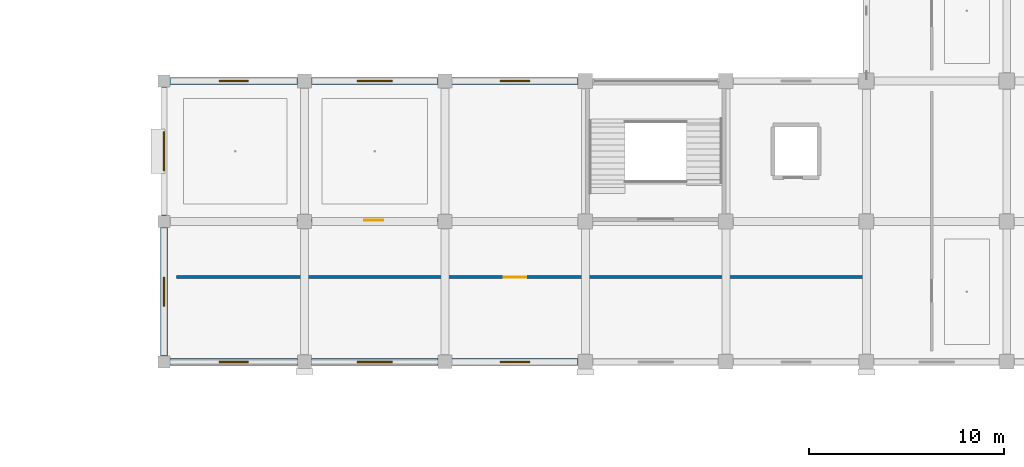
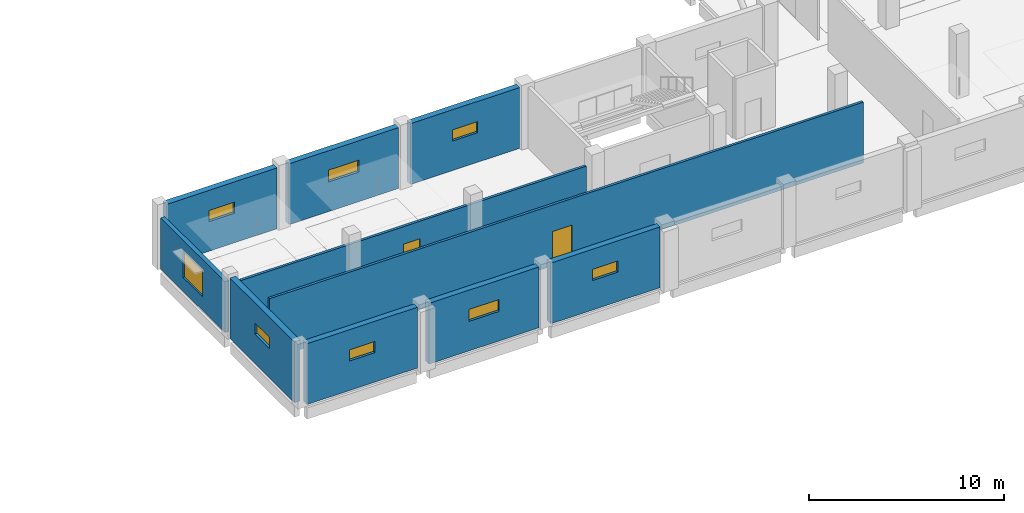
# One storey, part 79 of 107: 10 walls, 8 windows, 2 doors, 10 openings.
"""IFC4 building model written with IfcOpenShell, lengths in metres."""

import ifcopenshell
import ifcopenshell.guid

model = None  # the IFC model being written
_history = None  # IfcOwnerHistory: only IFC2X3 demands one
_inside = {}  # id of a spatial element -> (the spatial element, [elements in it])
_under = {}  # id of a project, library or spatial element -> (it, [spatial elements below it])
_declared = {}  # id of a project -> (the project, [libraries it declares])
_typed = {}  # id of a type object -> (the type object, [elements of that type])
_made_of = {}  # id of a material, layer set ... -> (it, [elements and type objects made of it])


def new_model(schema):
    """Start an empty IFC model of exactly this schema.

    Asked for "IFC4X3", IfcOpenShell would pick the latest addendum, in which some entities
    have other attributes; the version numbers below select the first issue.
    IFC2X3 requires an IfcOwnerHistory on every rooted entity: one is made here for all.
    """
    global model, _history
    if schema == "IFC4X3":
        model = ifcopenshell.file(schema_version=(4, 3, 0, 0))
    else:
        model = ifcopenshell.file(schema=schema)
    _inside.clear()
    _under.clear()
    _declared.clear()
    _typed.clear()
    _made_of.clear()
    _history = None
    if model.schema == "IFC2X3":
        org = make("IfcOrganization", Name="unknown")
        user = make(
            "IfcPersonAndOrganization",
            ThePerson=make("IfcPerson", FamilyName="unknown"),
            TheOrganization=org,
        )
        app = make(
            "IfcApplication",
            ApplicationDeveloper=org,
            Version="unknown",
            ApplicationFullName="unknown",
            ApplicationIdentifier="unknown",
        )
        _history = make(
            "IfcOwnerHistory",
            OwningUser=user,
            OwningApplication=app,
            ChangeAction="ADDED",
            CreationDate=0,
        )
    return model


def make(cls, **values):
    """One entity of the class cls with the attributes given. An attribute that is None is left unset."""
    return model.create_entity(
        cls, **{name: value for name, value in values.items() if value is not None}
    )


def rooted(cls, **values):
    """An entity with a GlobalId (a new one), such as an element, a storey or a relation."""
    return make(cls, GlobalId=ifcopenshell.guid.new(), OwnerHistory=_history, **values)


def si_unit(unit_type, name, prefix=None):
    """IfcSIUnit, for example si_unit("LENGTHUNIT", "METRE", prefix="MILLI")."""
    return make("IfcSIUnit", UnitType=unit_type, Prefix=prefix, Name=name)


def assignment(units):
    """IfcUnitAssignment: the units of a project."""
    return None if units is None else make("IfcUnitAssignment", Units=units)


def point(xyz):
    """IfcCartesianPoint."""
    return None if xyz is None else make("IfcCartesianPoint", Coordinates=xyz)


def direction(xyz):
    """IfcDirection."""
    return None if xyz is None else make("IfcDirection", DirectionRatios=xyz)


def frame(location, z_axis=None, x_axis=None):
    """IfcAxis2Placement3D, a coordinate frame: its origin and axes. An axis left out is left unset."""
    return make(
        "IfcAxis2Placement3D",
        Location=point(location),
        Axis=direction(z_axis),
        RefDirection=direction(x_axis),
    )


def frame_2d(location, x_axis=None):
    """IfcAxis2Placement2D, a coordinate frame in the plane: its origin and x axis."""
    return make(
        "IfcAxis2Placement2D", Location=point(location), RefDirection=direction(x_axis)
    )


def origin():
    """The frame at (0, 0, 0) with its axes left unset."""
    return frame((0.0, 0.0, 0.0))


def place(relative_to, where):
    """IfcLocalPlacement: puts the frame where relative to a parent placement (None: the world)."""
    return make(
        "IfcLocalPlacement", PlacementRelTo=relative_to, RelativePlacement=where
    )


def context(
    kind, dimensions, precision=None, world=None, true_north=None, identifier=None
):
    """IfcGeometricRepresentationContext, for example the 3D "Model" context."""
    return make(
        "IfcGeometricRepresentationContext",
        ContextIdentifier=identifier,
        ContextType=kind,
        CoordinateSpaceDimension=dimensions,
        Precision=precision,
        WorldCoordinateSystem=world,
        TrueNorth=true_north,
    )


def subcontext(parent, identifier, kind, view, scale=None):
    """IfcGeometricRepresentationSubContext, for example "Body" below "Model"."""
    return make(
        "IfcGeometricRepresentationSubContext",
        ContextIdentifier=identifier,
        ContextType=kind,
        ParentContext=parent,
        TargetScale=scale,
        TargetView=view,
    )


def project(units=None, contexts=None):
    """IfcProject with its units and contexts."""
    return rooted(
        "IfcProject",
        Name="project",
        RepresentationContexts=contexts,
        UnitsInContext=assignment(units),
    )


def spatial(cls, under=None, at=None, **own):
    """A site, building, storey or space (cls), placed at a placement, below another one or the project."""
    s = rooted(cls, ObjectPlacement=at, **own)
    if under is not None:
        _under.setdefault(under.id(), (under, []))[1].append(s)
    return s


def profile(cls, at=None, kind="AREA", **sizes):
    """A parametric profile (cls). Its sizes go by their IFC names, for example OverallWidth=200.0."""
    return make(cls, ProfileType=kind, Position=at, **sizes)


def rectangle(**sizes):
    """IfcRectangleProfileDef."""
    return profile("IfcRectangleProfileDef", **sizes)


def extrude(swept, where, along, depth):
    """IfcExtrudedAreaSolid: the profile swept, set in the frame where, extruded along a direction by depth."""
    return make(
        "IfcExtrudedAreaSolid",
        SweptArea=swept,
        Position=where,
        ExtrudedDirection=direction(along),
        Depth=depth,
    )


def shape(context_of_items, identifier, shape_type, items):
    """IfcShapeRepresentation: the items that make up one representation, for example the "Body"."""
    return make(
        "IfcShapeRepresentation",
        ContextOfItems=context_of_items,
        RepresentationIdentifier=identifier,
        RepresentationType=shape_type,
        Items=items,
    )


def material(Name=None, Category=None):
    """IfcMaterial."""
    return make("IfcMaterial", Name=Name, Category=Category)


def layer(
    of_material, thickness, ventilated=None, Name=None, Category=None, Priority=None
):
    """IfcMaterialLayer: one layer of a wall or slab, of a material (None: an air gap)."""
    return make(
        "IfcMaterialLayer",
        Material=of_material,
        LayerThickness=thickness,
        IsVentilated=ventilated,
        Name=Name,
        Category=Category,
        Priority=Priority,
    )


def layer_set(layers, Name=None):
    """IfcMaterialLayerSet."""
    return make("IfcMaterialLayerSet", MaterialLayers=layers, LayerSetName=Name)


def made_of(thing, what):
    """Note that an element or type object is made of a material, layer set ...; save() writes the relation."""
    if what is not None:
        _made_of.setdefault(what.id(), (what, []))[1].append(thing)
    return thing


def type_object(cls, material=None, **own):
    """A type object (cls), such as IfcWallType, which elements share."""
    return made_of(rooted(cls, **own), material)


def element(
    cls,
    number,
    at=None,
    inside=None,
    cuts=None,
    type_object=None,
    material=None,
    context=None,
    identifier="Body",
    shape_type=None,
    held_by="IfcProductDefinitionShape",
    body=None,
    shapes=None,
    **own,
):
    """One element of the class cls, such as IfcWall. Its Tag is "e" and its number.

    at: its placement. inside: the storey or other place that contains it. cuts: it is an
    opening in that element (IfcRelVoidsElement). A single representation is given by context,
    identifier, shape_type and body (its items); several are given by shapes. held_by: the class
    of the entity that holds the representations. save() writes the other relations.
    """
    e = rooted(cls, Tag="e%d" % number, ObjectPlacement=at, **own)
    if body is not None:
        shapes = [shape(context, identifier, shape_type, body)]
    if shapes is not None:
        e.Representation = make(held_by, Representations=shapes)
    if inside is not None:
        _inside.setdefault(inside.id(), (inside, []))[1].append(e)
    if cuts is not None:
        rooted(
            "IfcRelVoidsElement", RelatingBuildingElement=cuts, RelatedOpeningElement=e
        )
    if type_object is not None:
        _typed.setdefault(type_object.id(), (type_object, []))[1].append(e)
    return made_of(e, material)


def fill(opening, filler):
    """IfcRelFillsElement: the door or window that sits in an opening."""
    return rooted(
        "IfcRelFillsElement",
        RelatingOpeningElement=opening,
        RelatedBuildingElement=filler,
    )


def aggregate(whole, parts):
    """IfcRelAggregates: a whole, such as a stair, and the parts it consists of."""
    return rooted("IfcRelAggregates", RelatingObject=whole, RelatedObjects=parts)


def save(model, path):
    """Write the relations noted so far, then the file.

    IfcRelAggregates (storeys below a building ...), IfcRelContainedInSpatialStructure (elements
    in a storey), IfcRelDefinesByType, IfcRelAssociatesMaterial and IfcRelDeclares: one each for
    every whole, place, type object, material and project.
    """
    for whole, parts in _under.values():
        aggregate(whole, parts)
    for where, things in _inside.values():
        rooted(
            "IfcRelContainedInSpatialStructure",
            RelatedElements=things,
            RelatingStructure=where,
        )
    for kind, things in _typed.values():
        rooted("IfcRelDefinesByType", RelatedObjects=things, RelatingType=kind)
    for what, things in _made_of.values():
        rooted("IfcRelAssociatesMaterial", RelatedObjects=things, RelatingMaterial=what)
    for by, libraries in _declared.values():
        rooted("IfcRelDeclares", RelatingContext=by, RelatedDefinitions=libraries)
    model.write(path)


model = new_model("IFC4")

# Units and contexts
model_context = context("Model", 3, precision=1e-05, world=origin(), true_north=direction((0.0, 1.0)))
body_context = subcontext(model_context, "Body", "Model", "MODEL_VIEW")
ifc_project = project(units=[si_unit("LENGTHUNIT", "METRE"), si_unit("AREAUNIT", "SQUARE_METRE"), si_unit("VOLUMEUNIT", "CUBIC_METRE"), si_unit("PLANEANGLEUNIT", "RADIAN"), si_unit("MASSUNIT", "GRAM", prefix="KILO")], contexts=[model_context])

# Site, building, storey
site_placement = place(None, origin())
site = spatial("IfcSite", under=ifc_project, at=site_placement, CompositionType="ELEMENT")
building_placement = place(site_placement, origin())
building = spatial("IfcBuilding", under=site, at=building_placement, Name="Kangsadwip Square Police Headquarters", CompositionType="ELEMENT")
storey_placement = place(building_placement, frame((0.0, 0.0, 5.39990234375)))
storey = spatial("IfcBuildingStorey", under=building, at=storey_placement, Name="L01", CompositionType="ELEMENT", Elevation=5.39990234375)

# Wall, opening, door
ifc_material_1 = material(Name="Autoclaved aerated concrete blockwork masonry", Category="masonry")
ifc_layer_1 = layer(ifc_material_1, 0.14990234375)
ifc_layer_set_1 = layer_set([ifc_layer_1], Name="Autoclaved aerated concrete blockwork masonry")
wall_type_1 = type_object("IfcWallType", Name="BlockPartition150", PredefinedType="PARTITIONING", material=ifc_layer_set_1)
wall_1_placement = place(storey_placement, frame((108.64990234375, 25.949951171875, 0.0), z_axis=(0.0, 0.0, 1.0), x_axis=(1.0, 0.0, 0.0)))
wall_1 = element("IfcWall", 1, at=wall_1_placement, inside=storey, type_object=wall_type_1, Name="Interior Wall WI-L01-0747", PredefinedType="PARTITIONING", context=body_context, shape_type="SweptSolid", body=[
    extrude(rectangle(XDim=35.2001953125, YDim=0.14990234375, at=frame_2d((17.60009765625, 0.0))), origin(), (0.0, 0.0, 1.0), 3.81005859375),
])
opening_1_placement = place(wall_1_placement, frame((16.77490234375, 0.0, 0.0)))
opening_1 = element("IfcOpeningElement", 2, at=opening_1_placement, cuts=wall_1, Name="Opening FD-11", PredefinedType="OPENING", context=body_context, shape_type="SweptSolid", body=[
    extrude(rectangle(XDim=1.14990234375, YDim=2.14990234375, at=frame_2d((0.574951171875, 1.074951171875))), frame((0.0, 0.0849609375, 0.0), z_axis=(0.0, -1.0, 0.0), x_axis=(1.0, 0.0, 0.0)), (0.0, 0.0, 1.0), 0.169921875),
])
ifc_material_2 = material(Name="Insulated galvanized steel fire-rated door assembly", Category="steel")
door_type_1 = type_object("IfcDoorType", Name="CustodyCellDoor1150x2150", OperationType="NOTDEFINED", PredefinedType="DOOR", material=ifc_material_2)
door_1_placement = place(opening_1_placement, origin())
door_1 = element("IfcDoor", 3, at=door_1_placement, inside=storey, type_object=door_type_1, Name="Interior Door ID-L01-0175", OperationType="SINGLE_SWING_LEFT", OverallHeight=2.14990234375, OverallWidth=1.14990234375, PredefinedType="DOOR", context=body_context, shape_type="SweptSolid", body=[
    extrude(rectangle(XDim=1.14990234375, YDim=2.14990234375, at=frame_2d((0.574951171875, 1.074951171875))), frame((0.0, 0.02490234375, 0.0), z_axis=(0.0, -1.0, 0.0), x_axis=(1.0, 0.0, 0.0)), (0.0, 0.0, 1.0), 0.050048828125),
])
fill(opening_1, door_1)

wall_2_placement = place(storey_placement, frame((108.64990234375, 28.85009765625, 0.0), z_axis=(0.0, 0.0, 1.0), x_axis=(1.0, 0.0, 0.0)))
wall_2 = element("IfcWall", 4, at=wall_2_placement, inside=storey, type_object=wall_type_1, Name="Interior Wall WI-L01-0748", PredefinedType="PARTITIONING", context=body_context, shape_type="SweptSolid", body=[
    extrude(rectangle(XDim=20.4501953125, YDim=0.14990234375, at=frame_2d((10.22509765625, 0.0))), origin(), (0.0, 0.0, 1.0), 3.2001953125),
])
opening_2_placement = place(wall_2_placement, frame((9.60888671875, 0.0, 0.0)))
opening_2 = element("IfcOpeningElement", 5, at=opening_2_placement, cuts=wall_2, Name="Opening ID-09A", PredefinedType="OPENING", context=body_context, shape_type="SweptSolid", body=[
    extrude(rectangle(XDim=0.97998046875, YDim=2.10009765625, at=frame_2d((0.489990234375, 1.050048828125))), frame((0.0, 0.0849609375, 0.0), z_axis=(0.0, -1.0, 0.0), x_axis=(1.0, 0.0, 0.0)), (0.0, 0.0, 1.0), 0.169921875),
])
ifc_material_3 = material(Name="Solid-core seasoned teak hardwood architectural door", Category="wood")
door_type_2 = type_object("IfcDoorType", Name="OfficeDoor980x2100", OperationType="NOTDEFINED", PredefinedType="DOOR", material=ifc_material_3)
door_2_placement = place(opening_2_placement, origin())
door_2 = element("IfcDoor", 6, at=door_2_placement, inside=storey, type_object=door_type_2, Name="Interior Door ID-L01-0176", OperationType="SINGLE_SWING_RIGHT", OverallHeight=2.10009765625, OverallWidth=0.97998046875, PredefinedType="DOOR", context=body_context, shape_type="SweptSolid", body=[
    extrude(rectangle(XDim=0.97998046875, YDim=2.10009765625, at=frame_2d((0.489990234375, 1.050048828125))), frame((0.0, 0.02490234375, 0.0), z_axis=(0.0, -1.0, 0.0), x_axis=(1.0, 0.0, 0.0)), (0.0, 0.0, 1.0), 0.050048828125),
])
fill(opening_2, door_2)

# Wall, opening, window
ifc_material_4 = material(Name="Glazed architectural terracotta masonry rainscreen", Category="masonry")
ifc_layer_2 = layer(ifc_material_4, 0.25)
ifc_layer_set_2 = layer_set([ifc_layer_2], Name="Glazed architectural terracotta masonry rainscreen")
wall_type_2 = type_object("IfcWallType", Name="ChicagoTerracottaWall250", PredefinedType="SOLIDWALL", material=ifc_layer_set_2)
wall_3_placement = place(storey_placement, frame((108.0, 29.094970703125, 0.0), z_axis=(0.0, 0.0, 1.0), x_axis=(0.0, 1.0, 0.0)))
wall_3 = element("IfcWall", 7, at=wall_3_placement, inside=storey, type_object=wall_type_2, Name="Exterior Wall WE-L01-273", PredefinedType="SOLIDWALL", context=body_context, shape_type="SweptSolid", body=[
    extrude(rectangle(XDim=6.610107421875, YDim=0.25, at=frame_2d((3.30517578125, 0.0))), origin(), (0.0, 0.0, 1.0), 3.195068359375),
])
opening_3_placement = place(wall_3_placement, frame((2.304931640625, 0.0, 0.85009765625)))
opening_3 = element("IfcOpeningElement", 8, at=opening_3_placement, cuts=wall_3, Name="Opening WN-09", PredefinedType="OPENING", context=body_context, shape_type="SweptSolid", body=[
    extrude(rectangle(XDim=2.0, YDim=1.64990234375, at=frame_2d((1.0, 0.824951171875))), frame((0.0, 0.135009765625, 0.0), z_axis=(0.0, -1.0, 0.0), x_axis=(1.0, 0.0, 0.0)), (0.0, 0.0, 1.0), 0.27001953125),
])
ifc_material_5 = material(Name="Double-glazed solar-control low-E safety glass", Category="glass")
window_type_1 = type_object("IfcWindowType", Name="ChicagoDoubleMullWin2000x1650", PartitioningType="DOUBLE_PANEL_VERTICAL", PredefinedType="WINDOW", material=ifc_material_5)
window_1_placement = place(opening_3_placement, origin())
window_1 = element("IfcWindow", 9, at=window_1_placement, inside=storey, type_object=window_type_1, Name="Window WN-L01-0126", OverallHeight=1.64990234375, OverallWidth=2.0, PartitioningType="SINGLE_PANEL", PredefinedType="WINDOW", context=body_context, shape_type="SweptSolid", body=[
    extrude(rectangle(XDim=2.0, YDim=1.64990234375, at=frame_2d((1.0, 0.824951171875))), frame((0.0, 0.030029296875, 0.0), z_axis=(0.0, -1.0, 0.0), x_axis=(1.0, 0.0, 0.0)), (0.0, 0.0, 1.0), 0.06005859375),
])
fill(opening_3, window_1)

ifc_material_6 = material(Name="Concrete M40 (40 MPa)", Category="concrete")
ifc_layer_3 = layer(ifc_material_6, 0.35009765625)
ifc_layer_set_3 = layer_set([ifc_layer_3], Name="Concrete M40 (40 MPa)")
wall_type_3 = type_object("IfcWallType", Name="CustodyPerimeterWall350", PredefinedType="SOLIDWALL", material=ifc_layer_set_3)
wall_4_placement = place(storey_placement, frame((108.294921875, 21.60009765625, 0.0), z_axis=(0.0, 0.0, 1.0), x_axis=(1.0, 0.0, 0.0)))
wall_4 = element("IfcWall", 10, at=wall_4_placement, inside=storey, type_object=wall_type_3, Name="Exterior Wall WE-L01-223", PredefinedType="SOLIDWALL", context=body_context, shape_type="SweptSolid", body=[
    extrude(rectangle(XDim=6.56005859375, YDim=0.35009765625, at=frame_2d((3.280029296875, 0.0))), origin(), (0.0, 0.0, 1.0), 3.81005859375),
])
opening_4_placement = place(wall_4_placement, frame((2.530029296875, 0.0, 1.85009765625)))
opening_4 = element("IfcOpeningElement", 11, at=opening_4_placement, cuts=wall_4, Name="Opening WN-17", PredefinedType="OPENING", context=body_context, shape_type="SweptSolid", body=[
    extrude(rectangle(XDim=1.5, YDim=0.699951171875, at=frame_2d((0.75, 0.35009765625))), frame((0.0, 0.18505859375, 0.0), z_axis=(0.0, -1.0, 0.0), x_axis=(1.0, 0.0, 0.0)), (0.0, 0.0, 1.0), 0.3701171875),
])
ifc_material_7 = material(Name="Double-glazed solar-control low-E safety glass", Category="glass")
window_type_2 = type_object("IfcWindowType", Name="CustodyClerestoryWin1500x700", PartitioningType="SINGLE_PANEL", PredefinedType="WINDOW", material=ifc_material_7)
window_2_placement = place(opening_4_placement, origin())
window_2 = element("IfcWindow", 12, at=window_2_placement, inside=storey, type_object=window_type_2, Name="Window WN-L01-0076", OverallHeight=0.699951171875, OverallWidth=1.5, PartitioningType="SINGLE_PANEL", PredefinedType="WINDOW", context=body_context, shape_type="SweptSolid", body=[
    extrude(rectangle(XDim=1.5, YDim=0.699951171875, at=frame_2d((0.75, 0.35009765625))), frame((0.0, 0.030029296875, 0.0), z_axis=(0.0, -1.0, 0.0), x_axis=(1.0, 0.0, 0.0)), (0.0, 0.0, 1.0), 0.06005859375),
])
fill(opening_4, window_2)

wall_5_placement = place(storey_placement, frame((115.544921875, 21.60009765625, 0.0), z_axis=(0.0, 0.0, 1.0), x_axis=(1.0, 0.0, 0.0)))
wall_5 = element("IfcWall", 13, at=wall_5_placement, inside=storey, type_object=wall_type_3, Name="Exterior Wall WE-L01-224", PredefinedType="SOLIDWALL", context=body_context, shape_type="SweptSolid", body=[
    extrude(rectangle(XDim=6.510009765625, YDim=0.35009765625, at=frame_2d((3.2548828125, 0.0))), origin(), (0.0, 0.0, 1.0), 3.81005859375),
])
opening_5_placement = place(wall_5_placement, frame((2.35498046875, 0.0, 1.85009765625)))
opening_5 = element("IfcOpeningElement", 14, at=opening_5_placement, cuts=wall_5, Name="Opening WN-16", PredefinedType="OPENING", context=body_context, shape_type="SweptSolid", body=[
    extrude(rectangle(XDim=1.800048828125, YDim=0.75, at=frame_2d((0.89990234375, 0.375))), frame((0.0, 0.18505859375, 0.0), z_axis=(0.0, -1.0, 0.0), x_axis=(1.0, 0.0, 0.0)), (0.0, 0.0, 1.0), 0.3701171875),
])
ifc_material_8 = material(Name="Double-glazed solar-control low-E safety glass", Category="glass")
window_type_3 = type_object("IfcWindowType", Name="CustodyClerestoryWin1800x750", PartitioningType="DOUBLE_PANEL_HORIZONTAL", PredefinedType="WINDOW", material=ifc_material_8)
window_3_placement = place(opening_5_placement, origin())
window_3 = element("IfcWindow", 15, at=window_3_placement, inside=storey, type_object=window_type_3, Name="Window WN-L01-0077", OverallHeight=0.75, OverallWidth=1.800048828125, PartitioningType="SINGLE_PANEL", PredefinedType="WINDOW", context=body_context, shape_type="SweptSolid", body=[
    extrude(rectangle(XDim=1.800048828125, YDim=0.75, at=frame_2d((0.89990234375, 0.375))), frame((0.0, 0.030029296875, 0.0), z_axis=(0.0, -1.0, 0.0), x_axis=(1.0, 0.0, 0.0)), (0.0, 0.0, 1.0), 0.06005859375),
])
fill(opening_5, window_3)

wall_6_placement = place(storey_placement, frame((122.7451171875, 21.60009765625, 0.0), z_axis=(0.0, 0.0, 1.0), x_axis=(1.0, 0.0, 0.0)))
wall_6 = element("IfcWall", 16, at=wall_6_placement, inside=storey, type_object=wall_type_3, Name="Exterior Wall WE-L01-225", PredefinedType="SOLIDWALL", context=body_context, shape_type="SweptSolid", body=[
    extrude(rectangle(XDim=6.48486328125, YDim=0.35009765625, at=frame_2d((3.242431640625, 0.0))), origin(), (0.0, 0.0, 1.0), 3.81005859375),
])
opening_6_placement = place(wall_6_placement, frame((2.492431640625, 0.0, 1.85009765625)))
opening_6 = element("IfcOpeningElement", 17, at=opening_6_placement, cuts=wall_6, Name="Opening WN-17", PredefinedType="OPENING", context=body_context, shape_type="SweptSolid", body=[
    extrude(rectangle(XDim=1.5, YDim=0.699951171875, at=frame_2d((0.75, 0.35009765625))), frame((0.0, 0.18505859375, 0.0), z_axis=(0.0, -1.0, 0.0), x_axis=(1.0, 0.0, 0.0)), (0.0, 0.0, 1.0), 0.3701171875),
])
window_4_placement = place(opening_6_placement, origin())
window_4 = element("IfcWindow", 18, at=window_4_placement, inside=storey, type_object=window_type_2, Name="Window WN-L01-0078", OverallHeight=0.699951171875, OverallWidth=1.5, PartitioningType="SINGLE_PANEL", PredefinedType="WINDOW", context=body_context, shape_type="SweptSolid", body=[
    extrude(rectangle(XDim=1.5, YDim=0.699951171875, at=frame_2d((0.75, 0.35009765625))), frame((0.0, 0.030029296875, 0.0), z_axis=(0.0, -1.0, 0.0), x_axis=(1.0, 0.0, 0.0)), (0.0, 0.0, 1.0), 0.06005859375),
])
fill(opening_6, window_4)

wall_7_placement = place(storey_placement, frame((108.294921875, 36.0, 0.0), z_axis=(0.0, 0.0, 1.0), x_axis=(1.0, 0.0, 0.0)))
wall_7 = element("IfcWall", 19, at=wall_7_placement, inside=storey, type_object=wall_type_3, Name="Exterior Wall WE-L01-232", PredefinedType="SOLIDWALL", context=body_context, shape_type="SweptSolid", body=[
    extrude(rectangle(XDim=6.56005859375, YDim=0.35009765625, at=frame_2d((3.280029296875, 0.0))), origin(), (0.0, 0.0, 1.0), 3.81005859375),
])
opening_7_placement = place(wall_7_placement, frame((2.530029296875, 0.0, 1.85009765625)))
opening_7 = element("IfcOpeningElement", 20, at=opening_7_placement, cuts=wall_7, Name="Opening WN-17", PredefinedType="OPENING", context=body_context, shape_type="SweptSolid", body=[
    extrude(rectangle(XDim=1.5, YDim=0.699951171875, at=frame_2d((0.75, 0.35009765625))), frame((0.0, 0.18505859375, 0.0), z_axis=(0.0, -1.0, 0.0), x_axis=(1.0, 0.0, 0.0)), (0.0, 0.0, 1.0), 0.3701171875),
])
window_5_placement = place(opening_7_placement, origin())
window_5 = element("IfcWindow", 21, at=window_5_placement, inside=storey, type_object=window_type_2, Name="Window WN-L01-0085", OverallHeight=0.699951171875, OverallWidth=1.5, PartitioningType="SINGLE_PANEL", PredefinedType="WINDOW", context=body_context, shape_type="SweptSolid", body=[
    extrude(rectangle(XDim=1.5, YDim=0.699951171875, at=frame_2d((0.75, 0.35009765625))), frame((0.0, 0.030029296875, 0.0), z_axis=(0.0, -1.0, 0.0), x_axis=(1.0, 0.0, 0.0)), (0.0, 0.0, 1.0), 0.06005859375),
])
fill(opening_7, window_5)

wall_8_placement = place(storey_placement, frame((115.544921875, 36.0, 0.0), z_axis=(0.0, 0.0, 1.0), x_axis=(1.0, 0.0, 0.0)))
wall_8 = element("IfcWall", 22, at=wall_8_placement, inside=storey, type_object=wall_type_3, Name="Exterior Wall WE-L01-233", PredefinedType="SOLIDWALL", context=body_context, shape_type="SweptSolid", body=[
    extrude(rectangle(XDim=6.510009765625, YDim=0.35009765625, at=frame_2d((3.2548828125, 0.0))), origin(), (0.0, 0.0, 1.0), 3.81005859375),
])
opening_8_placement = place(wall_8_placement, frame((2.35498046875, 0.0, 1.85009765625)))
opening_8 = element("IfcOpeningElement", 23, at=opening_8_placement, cuts=wall_8, Name="Opening WN-16", PredefinedType="OPENING", context=body_context, shape_type="SweptSolid", body=[
    extrude(rectangle(XDim=1.800048828125, YDim=0.75, at=frame_2d((0.89990234375, 0.375))), frame((0.0, 0.18505859375, 0.0), z_axis=(0.0, -1.0, 0.0), x_axis=(1.0, 0.0, 0.0)), (0.0, 0.0, 1.0), 0.3701171875),
])
window_6_placement = place(opening_8_placement, origin())
window_6 = element("IfcWindow", 24, at=window_6_placement, inside=storey, type_object=window_type_3, Name="Window WN-L01-0086", OverallHeight=0.75, OverallWidth=1.800048828125, PartitioningType="SINGLE_PANEL", PredefinedType="WINDOW", context=body_context, shape_type="SweptSolid", body=[
    extrude(rectangle(XDim=1.800048828125, YDim=0.75, at=frame_2d((0.89990234375, 0.375))), frame((0.0, 0.030029296875, 0.0), z_axis=(0.0, -1.0, 0.0), x_axis=(1.0, 0.0, 0.0)), (0.0, 0.0, 1.0), 0.06005859375),
])
fill(opening_8, window_6)

wall_9_placement = place(storey_placement, frame((122.7451171875, 36.0, 0.0), z_axis=(0.0, 0.0, 1.0), x_axis=(1.0, 0.0, 0.0)))
wall_9 = element("IfcWall", 25, at=wall_9_placement, inside=storey, type_object=wall_type_3, Name="Exterior Wall WE-L01-234", PredefinedType="SOLIDWALL", context=body_context, shape_type="SweptSolid", body=[
    extrude(rectangle(XDim=6.48486328125, YDim=0.35009765625, at=frame_2d((3.242431640625, 0.0))), origin(), (0.0, 0.0, 1.0), 3.81005859375),
])
opening_9_placement = place(wall_9_placement, frame((2.492431640625, 0.0, 1.85009765625)))
opening_9 = element("IfcOpeningElement", 26, at=opening_9_placement, cuts=wall_9, Name="Opening WN-17", PredefinedType="OPENING", context=body_context, shape_type="SweptSolid", body=[
    extrude(rectangle(XDim=1.5, YDim=0.699951171875, at=frame_2d((0.75, 0.35009765625))), frame((0.0, 0.18505859375, 0.0), z_axis=(0.0, -1.0, 0.0), x_axis=(1.0, 0.0, 0.0)), (0.0, 0.0, 1.0), 0.3701171875),
])
window_7_placement = place(opening_9_placement, origin())
window_7 = element("IfcWindow", 27, at=window_7_placement, inside=storey, type_object=window_type_2, Name="Window WN-L01-0087", OverallHeight=0.699951171875, OverallWidth=1.5, PartitioningType="SINGLE_PANEL", PredefinedType="WINDOW", context=body_context, shape_type="SweptSolid", body=[
    extrude(rectangle(XDim=1.5, YDim=0.699951171875, at=frame_2d((0.75, 0.35009765625))), frame((0.0, 0.030029296875, 0.0), z_axis=(0.0, -1.0, 0.0), x_axis=(1.0, 0.0, 0.0)), (0.0, 0.0, 1.0), 0.06005859375),
])
fill(opening_9, window_7)

wall_10_placement = place(storey_placement, frame((108.0, 21.89501953125, 0.0), z_axis=(0.0, 0.0, 1.0), x_axis=(0.0, 1.0, 0.0)))
wall_10 = element("IfcWall", 28, at=wall_10_placement, inside=storey, type_object=wall_type_3, Name="Exterior Wall WE-L01-272", PredefinedType="SOLIDWALL", context=body_context, shape_type="SweptSolid", body=[
    extrude(rectangle(XDim=6.60986328125, YDim=0.35009765625, at=frame_2d((3.304931640625, 0.0))), origin(), (0.0, 0.0, 1.0), 3.81005859375),
])
opening_10_placement = place(wall_10_placement, frame((2.554931640625, 0.0, 1.85009765625)))
opening_10 = element("IfcOpeningElement", 29, at=opening_10_placement, cuts=wall_10, Name="Opening WN-17", PredefinedType="OPENING", context=body_context, shape_type="SweptSolid", body=[
    extrude(rectangle(XDim=1.5, YDim=0.699951171875, at=frame_2d((0.75, 0.35009765625))), frame((0.0, 0.18505859375, 0.0), z_axis=(0.0, -1.0, 0.0), x_axis=(1.0, 0.0, 0.0)), (0.0, 0.0, 1.0), 0.3701171875),
])
window_8_placement = place(opening_10_placement, origin())
window_8 = element("IfcWindow", 30, at=window_8_placement, inside=storey, type_object=window_type_2, Name="Window WN-L01-0125", OverallHeight=0.699951171875, OverallWidth=1.5, PartitioningType="SINGLE_PANEL", PredefinedType="WINDOW", context=body_context, shape_type="SweptSolid", body=[
    extrude(rectangle(XDim=1.5, YDim=0.699951171875, at=frame_2d((0.75, 0.35009765625))), frame((0.0, 0.030029296875, 0.0), z_axis=(0.0, -1.0, 0.0), x_axis=(1.0, 0.0, 0.0)), (0.0, 0.0, 1.0), 0.06005859375),
])
fill(opening_10, window_8)

save(model, "model.ifc")
